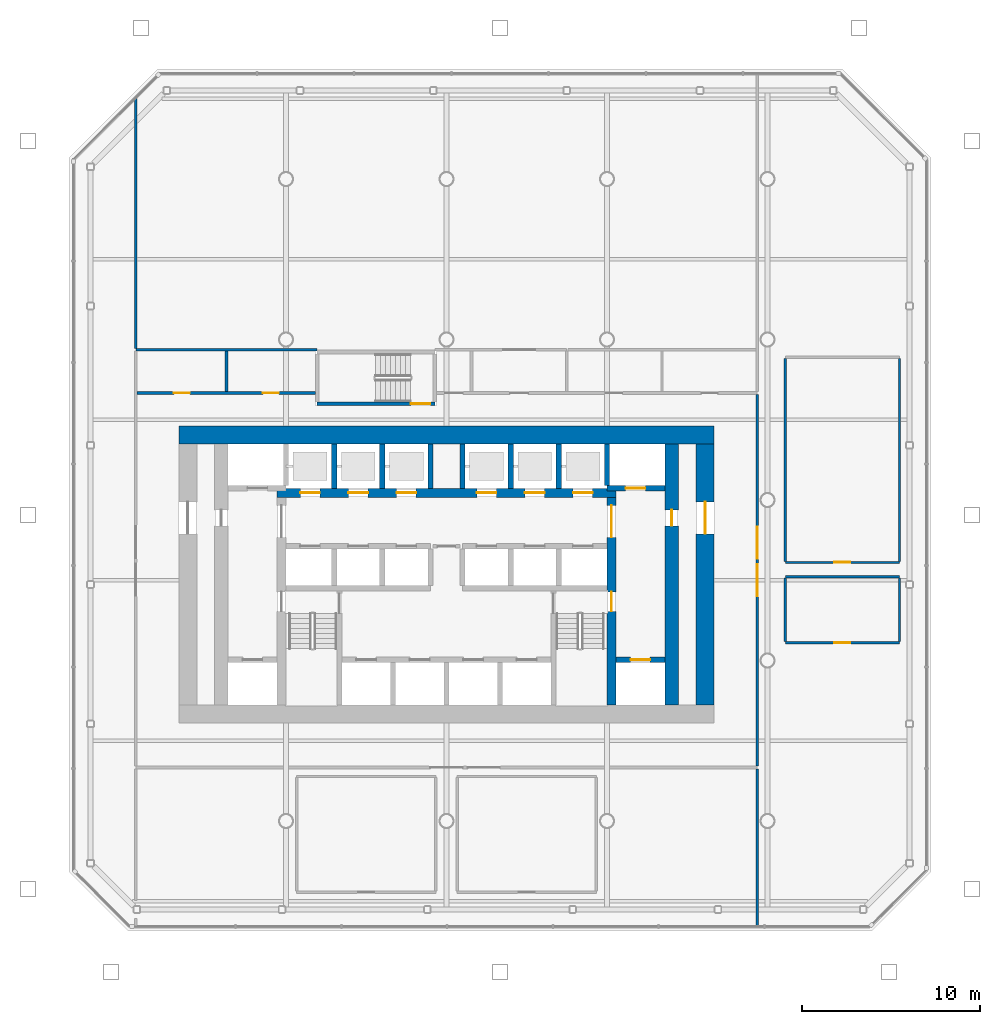
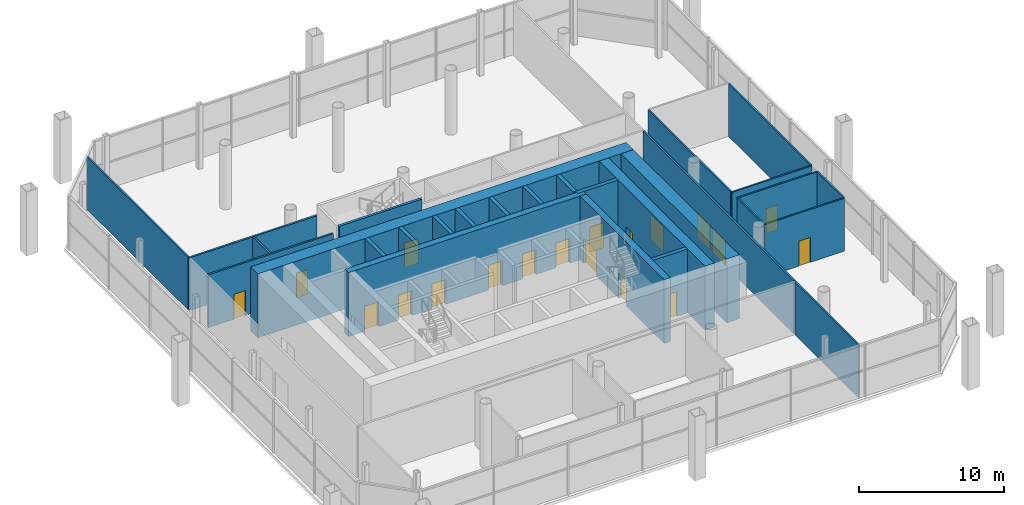
# One storey, part 10 of 13: 28 walls, 19 doors, 19 openings.
"""IFC4 building model written with IfcOpenShell, lengths in metres."""

from ifc_helpers import new_model, si_unit, direction, frame, frame_2d, origin, place, context, subcontext, project, spatial, rectangle, extrude, material, layer, layer_set, type_object, element, fill, save


model = new_model("IFC4")

# Units and contexts
model_context = context("Model", 3, precision=1e-05, world=origin(), true_north=direction((0.0, 1.0)))
body_context = subcontext(model_context, "Body", "Model", "MODEL_VIEW")
ifc_project = project(units=[si_unit("LENGTHUNIT", "METRE"), si_unit("AREAUNIT", "SQUARE_METRE"), si_unit("VOLUMEUNIT", "CUBIC_METRE"), si_unit("PLANEANGLEUNIT", "RADIAN"), si_unit("MASSUNIT", "GRAM", prefix="KILO")], contexts=[model_context])

# Site, building, storey
site_placement = place(None, origin())
site = spatial("IfcSite", under=ifc_project, at=site_placement, CompositionType="ELEMENT")
building_placement = place(site_placement, origin())
building = spatial("IfcBuilding", under=site, at=building_placement, Name="Tskaro Facet Tower", CompositionType="ELEMENT")
storey_placement = place(building_placement, frame((0.0, 0.0, 108.89990234375)))
storey = spatial("IfcBuildingStorey", under=building, at=storey_placement, Name="L26", CompositionType="ELEMENT", Elevation=108.89990234375)

# Wall, opening, door
ifc_material_1 = material(Name="Concrete C60/75", Category="concrete")
ifc_layer_1 = layer(ifc_material_1, 0.300048828125, Name="Concrete C60/75")
ifc_layer_set_1 = layer_set([ifc_layer_1], Name="Concrete C60/75")
wall_type_1 = type_object("IfcWallType", Name="CORE-SHAFT", PredefinedType="SHEAR", material=ifc_layer_set_1)
wall_1_placement = place(storey_placement, frame((9.5, -8.949951171875, 0.0), z_axis=(0.0, 0.0, 1.0), x_axis=(1.0, 0.0, 0.0)))
wall_1 = element("IfcWall", 1, at=wall_1_placement, inside=storey, type_object=wall_type_1, Name="Shaft wall W008", PredefinedType="SHEAR", context=body_context, shape_type="SweptSolid", body=[
    extrude(rectangle(XDim=2.75, YDim=0.300048828125, at=frame_2d((1.375, 0.0))), origin(), (0.0, 0.0, 1.0), 5.400146484375),
])
opening_1_placement = place(wall_1_placement, frame((0.824951171875, 0.0, 0.0)))
opening_1 = element("IfcOpeningElement", 2, at=opening_1_placement, cuts=wall_1, Name="Opening LD-SHES", PredefinedType="OPENING", context=body_context, shape_type="SweptSolid", body=[
    extrude(rectangle(XDim=1.10009765625, YDim=2.10009765625, at=frame_2d((0.550048828125, 1.050048828125))), frame((0.0, 0.159912109375, 0.0), z_axis=(0.0, -1.0, 0.0), x_axis=(1.0, 0.0, 0.0)), (0.0, 0.0, 1.0), 0.320068359375),
])
ifc_material_2 = material(Name="Stainless steel", Category="steel")
door_type_1 = type_object("IfcDoorType", Name="D-LANDING", OperationType="NOTDEFINED", PredefinedType="DOOR", material=ifc_material_2)
door_1_placement = place(opening_1_placement, origin())
door_1 = element("IfcDoor", 3, at=door_1_placement, inside=storey, type_object=door_type_1, Name="Landing door shuttle E1", OperationType="DOUBLE_DOOR_SLIDING", OverallHeight=2.10009765625, OverallWidth=1.10009765625, PredefinedType="DOOR", context=body_context, shape_type="SweptSolid", body=[
    extrude(rectangle(XDim=1.10009765625, YDim=2.10009765625, at=frame_2d((0.550048828125, 1.050048828125))), frame((0.0, 0.02490234375, 0.0), z_axis=(0.0, -1.0, 0.0), x_axis=(1.0, 0.0, 0.0)), (0.0, 0.0, 1.0), 0.050048828125),
])
fill(opening_1, door_1)

wall_2_placement = place(storey_placement, frame((12.25, 0.64990234375, 0.0), z_axis=(0.0, 0.0, 1.0), x_axis=(-1.0, 0.0, 0.0)))
wall_2 = element("IfcWall", 4, at=wall_2_placement, inside=storey, type_object=wall_type_1, Name="Shaft wall W018", PredefinedType="SHEAR", context=body_context, shape_type="SweptSolid", body=[
    extrude(rectangle(XDim=3.25, YDim=0.300048828125, at=frame_2d((1.625, 0.0))), origin(), (0.0, 0.0, 1.0), 5.400146484375),
])
opening_2_placement = place(wall_2_placement, frame((1.10009765625, 0.0, 0.0)))
opening_2 = element("IfcOpeningElement", 5, at=opening_2_placement, cuts=wall_2, Name="Opening LD-SHEN", PredefinedType="OPENING", context=body_context, shape_type="SweptSolid", body=[
    extrude(rectangle(XDim=1.10009765625, YDim=2.10009765625, at=frame_2d((0.550048828125, 1.050048828125))), frame((0.0, 0.159912109375, 0.0), z_axis=(0.0, -1.0, 0.0), x_axis=(1.0, 0.0, 0.0)), (0.0, 0.0, 1.0), 0.320068359375),
])
door_2_placement = place(opening_2_placement, origin())
door_2 = element("IfcDoor", 6, at=door_2_placement, inside=storey, type_object=door_type_1, Name="Landing door shuttle E2", OperationType="DOUBLE_DOOR_SLIDING", OverallHeight=2.10009765625, OverallWidth=1.10009765625, PredefinedType="DOOR", context=body_context, shape_type="SweptSolid", body=[
    extrude(rectangle(XDim=1.10009765625, YDim=2.10009765625, at=frame_2d((0.550048828125, 1.050048828125))), frame((0.0, 0.02490234375, 0.0), z_axis=(0.0, -1.0, 0.0), x_axis=(1.0, 0.0, 0.0)), (0.0, 0.0, 1.0), 0.050048828125),
])
fill(opening_2, door_2)

# Walls
for number, where, z_axis, x_axis, name in (
    (7, (-6.300048828125, 0.64990234375, 0.0), (0.0, 0.0, 1.0), (0.0, 1.0, 0.0), "Shaft wall W036"),
    (8, (-3.60009765625, 0.64990234375, 0.0), (0.0, 0.0, 1.0), (0.0, 1.0, 0.0), "Shaft wall W039"),
    (9, (-0.89990234375, 0.64990234375, 0.0), (0.0, 0.0, 1.0), (0.0, 1.0, 0.0), "Shaft wall W042"),
    (10, (0.89990234375, 0.64990234375, 0.0), (0.0, 0.0, 1.0), (0.0, 1.0, 0.0), "Shaft wall W048"),
    (11, (3.60009765625, 0.64990234375, 0.0), (0.0, 0.0, 1.0), (0.0, 1.0, 0.0), "Shaft wall W052"),
    (12, (6.300048828125, 0.64990234375, 0.0), (0.0, 0.0, 1.0), (0.0, 1.0, 0.0), "Shaft wall W055"),
):
    element("IfcWall", number, at=place(storey_placement, frame(where, z_axis=z_axis, x_axis=x_axis)), inside=storey, type_object=wall_type_1, Name=name, PredefinedType="SHEAR", context=body_context, shape_type="SweptSolid", body=[
        extrude(rectangle(XDim=2.5, YDim=0.300048828125, at=frame_2d((1.25, 0.0))), origin(), (0.0, 0.0, 1.0), 5.400146484375),
    ])
wall_3_placement = place(storey_placement, frame((9.0, 0.800048828125, 0.0), z_axis=(0.0, 0.0, 1.0), x_axis=(0.0, 1.0, 0.0)))
element("IfcWall", 13, at=wall_3_placement, inside=storey, type_object=wall_type_1, Name="Shaft wall W058", PredefinedType="SHEAR", context=body_context, shape_type="SweptSolid", body=[
    extrude(rectangle(XDim=2.349853515625, YDim=0.300048828125, at=frame_2d((1.1748046875, 0.0))), origin(), (0.0, 0.0, 1.0), 5.400146484375),
])
ifc_layer_2 = layer(ifc_material_1, 1.0, Name="Concrete C60/75")
ifc_layer_set_2 = layer_set([ifc_layer_2], Name="Concrete C60/75")
wall_type_2 = type_object("IfcWallType", Name="Core wall 1000", PredefinedType="SHEAR", material=ifc_layer_set_2)
wall_4_placement = place(storey_placement, frame((-15.0, 3.64990234375, 0.0), z_axis=(0.0, 0.0, 1.0), x_axis=(1.0, 0.0, 0.0)))
element("IfcWall", 14, at=wall_4_placement, inside=storey, type_object=wall_type_2, Name="Core wall CW-Z1N", PredefinedType="SHEAR", context=body_context, shape_type="SweptSolid", body=[
    extrude(rectangle(XDim=30.0, YDim=1.0, at=frame_2d((15.0, 0.0))), origin(), (0.0, 0.0, 1.0), 5.400146484375),
])

# Wall, opening, door
wall_5_placement = place(storey_placement, frame((14.5, -11.5, 0.0), z_axis=(0.0, 0.0, 1.0), x_axis=(0.0, 1.0, 0.0)))
wall_5 = element("IfcWall", 15, at=wall_5_placement, inside=storey, type_object=wall_type_2, Name="Core wall CW-Z1E", PredefinedType="SHEAR", context=body_context, shape_type="SweptSolid", body=[
    extrude(rectangle(XDim=14.64990234375, YDim=1.0, at=frame_2d((7.324951171875, 0.0))), origin(), (0.0, 0.0, 1.0), 5.400146484375),
])
opening_3_placement = place(wall_5_placement, frame((9.60009765625, 0.0, 0.0)))
opening_3 = element("IfcOpeningElement", 16, at=opening_3_placement, cuts=wall_5, Name="Opening S26-D16", PredefinedType="OPENING", context=body_context, shape_type="SweptSolid", body=[
    extrude(rectangle(XDim=1.800048828125, YDim=2.10009765625, at=frame_2d((0.89990234375, 1.050048828125))), frame((0.0, 0.510009765625, 0.0), z_axis=(0.0, -1.0, 0.0), x_axis=(1.0, 0.0, 0.0)), (0.0, 0.0, 1.0), 1.02001953125),
])
ifc_material_3 = material(Name="Steel", Category="steel")
door_type_2 = type_object("IfcDoorType", Name="D-CORE-PAIR", OperationType="NOTDEFINED", PredefinedType="DOOR", material=ifc_material_3)
door_3_placement = place(opening_3_placement, origin())
door_3 = element("IfcDoor", 17, at=door_3_placement, inside=storey, type_object=door_type_2, Name="Door S26-D16", OperationType="DOUBLE_DOOR_SINGLE_SWING", OverallHeight=2.10009765625, OverallWidth=1.800048828125, PredefinedType="DOOR", context=body_context, shape_type="SweptSolid", body=[
    extrude(rectangle(XDim=1.800048828125, YDim=2.10009765625, at=frame_2d((0.89990234375, 1.050048828125))), frame((0.0, 0.02490234375, 0.0), z_axis=(0.0, -1.0, 0.0), x_axis=(1.0, 0.0, 0.0)), (0.0, 0.0, 1.0), 0.050048828125),
])
fill(opening_3, door_3)

# Wall, openings, doors
ifc_material_4 = material(Name="Concrete C40/50", Category="concrete")
ifc_layer_3 = layer(ifc_material_4, 0.5, Name="Concrete C40/50")
ifc_layer_set_3 = layer_set([ifc_layer_3], Name="Concrete C40/50")
wall_type_3 = type_object("IfcWallType", Name="Core wall 500", PredefinedType="SHEAR", material=ifc_layer_set_3)
wall_6_placement = place(storey_placement, frame((-9.5, 0.39990234375, 0.0), z_axis=(0.0, 0.0, 1.0), x_axis=(1.0, 0.0, 0.0)))
wall_6 = element("IfcWall", 18, at=wall_6_placement, inside=storey, type_object=wall_type_3, Name="Core wall CW-Z3N", PredefinedType="SHEAR", context=body_context, shape_type="SweptSolid", body=[
    extrude(rectangle(XDim=19.0, YDim=0.5, at=frame_2d((9.5, 0.0))), origin(), (0.0, 0.0, 1.0), 5.400146484375),
])
opening_4_placement = place(wall_6_placement, frame((1.300048828125, 0.0, 0.0)))
opening_4 = element("IfcOpeningElement", 19, at=opening_4_placement, cuts=wall_6, Name="Opening LD-MB1", PredefinedType="OPENING", context=body_context, shape_type="SweptSolid", body=[
    extrude(rectangle(XDim=1.10009765625, YDim=2.10009765625, at=frame_2d((0.550048828125, 1.050048828125))), frame((0.0, 0.260009765625, 0.0), z_axis=(0.0, -1.0, 0.0), x_axis=(1.0, 0.0, 0.0)), (0.0, 0.0, 1.0), 0.52001953125),
])
opening_5_placement = place(wall_6_placement, frame((4.0, 0.0, 0.0)))
opening_5 = element("IfcOpeningElement", 20, at=opening_5_placement, cuts=wall_6, Name="Opening LD-MB2", PredefinedType="OPENING", context=body_context, shape_type="SweptSolid", body=[
    extrude(rectangle(XDim=1.10009765625, YDim=2.10009765625, at=frame_2d((0.550048828125, 1.050048828125))), frame((0.0, 0.260009765625, 0.0), z_axis=(0.0, -1.0, 0.0), x_axis=(1.0, 0.0, 0.0)), (0.0, 0.0, 1.0), 0.52001953125),
])
opening_6_placement = place(wall_6_placement, frame((6.699951171875, 0.0, 0.0)))
opening_6 = element("IfcOpeningElement", 21, at=opening_6_placement, cuts=wall_6, Name="Opening LD-MB3", PredefinedType="OPENING", context=body_context, shape_type="SweptSolid", body=[
    extrude(rectangle(XDim=1.10009765625, YDim=2.10009765625, at=frame_2d((0.550048828125, 1.050048828125))), frame((0.0, 0.260009765625, 0.0), z_axis=(0.0, -1.0, 0.0), x_axis=(1.0, 0.0, 0.0)), (0.0, 0.0, 1.0), 0.52001953125),
])
opening_7_placement = place(wall_6_placement, frame((11.199951171875, 0.0, 0.0)))
opening_7 = element("IfcOpeningElement", 22, at=opening_7_placement, cuts=wall_6, Name="Opening LD-MB4", PredefinedType="OPENING", context=body_context, shape_type="SweptSolid", body=[
    extrude(rectangle(XDim=1.10009765625, YDim=2.10009765625, at=frame_2d((0.550048828125, 1.050048828125))), frame((0.0, 0.260009765625, 0.0), z_axis=(0.0, -1.0, 0.0), x_axis=(1.0, 0.0, 0.0)), (0.0, 0.0, 1.0), 0.52001953125),
])
opening_8_placement = place(wall_6_placement, frame((13.89990234375, 0.0, 0.0)))
opening_8 = element("IfcOpeningElement", 23, at=opening_8_placement, cuts=wall_6, Name="Opening LD-MB5", PredefinedType="OPENING", context=body_context, shape_type="SweptSolid", body=[
    extrude(rectangle(XDim=1.10009765625, YDim=2.10009765625, at=frame_2d((0.550048828125, 1.050048828125))), frame((0.0, 0.260009765625, 0.0), z_axis=(0.0, -1.0, 0.0), x_axis=(1.0, 0.0, 0.0)), (0.0, 0.0, 1.0), 0.52001953125),
])
opening_9_placement = place(wall_6_placement, frame((16.60009765625, 0.0, 0.0)))
opening_9 = element("IfcOpeningElement", 24, at=opening_9_placement, cuts=wall_6, Name="Opening LD-MB6", PredefinedType="OPENING", context=body_context, shape_type="SweptSolid", body=[
    extrude(rectangle(XDim=1.10009765625, YDim=2.10009765625, at=frame_2d((0.550048828125, 1.050048828125))), frame((0.0, 0.260009765625, 0.0), z_axis=(0.0, -1.0, 0.0), x_axis=(1.0, 0.0, 0.0)), (0.0, 0.0, 1.0), 0.52001953125),
])
door_4_placement = place(opening_4_placement, origin())
door_4 = element("IfcDoor", 25, at=door_4_placement, inside=storey, type_object=door_type_1, Name="Landing door MB1", OperationType="DOUBLE_DOOR_SLIDING", OverallHeight=2.10009765625, OverallWidth=1.10009765625, PredefinedType="DOOR", context=body_context, shape_type="SweptSolid", body=[
    extrude(rectangle(XDim=1.10009765625, YDim=2.10009765625, at=frame_2d((0.550048828125, 1.050048828125))), frame((0.0, 0.02490234375, 0.0), z_axis=(0.0, -1.0, 0.0), x_axis=(1.0, 0.0, 0.0)), (0.0, 0.0, 1.0), 0.050048828125),
])
fill(opening_4, door_4)
door_5_placement = place(opening_5_placement, origin())
door_5 = element("IfcDoor", 26, at=door_5_placement, inside=storey, type_object=door_type_1, Name="Landing door MB2", OperationType="DOUBLE_DOOR_SLIDING", OverallHeight=2.10009765625, OverallWidth=1.10009765625, PredefinedType="DOOR", context=body_context, shape_type="SweptSolid", body=[
    extrude(rectangle(XDim=1.10009765625, YDim=2.10009765625, at=frame_2d((0.550048828125, 1.050048828125))), frame((0.0, 0.02490234375, 0.0), z_axis=(0.0, -1.0, 0.0), x_axis=(1.0, 0.0, 0.0)), (0.0, 0.0, 1.0), 0.050048828125),
])
fill(opening_5, door_5)
door_6_placement = place(opening_6_placement, origin())
door_6 = element("IfcDoor", 27, at=door_6_placement, inside=storey, type_object=door_type_1, Name="Landing door MB3", OperationType="DOUBLE_DOOR_SLIDING", OverallHeight=2.10009765625, OverallWidth=1.10009765625, PredefinedType="DOOR", context=body_context, shape_type="SweptSolid", body=[
    extrude(rectangle(XDim=1.10009765625, YDim=2.10009765625, at=frame_2d((0.550048828125, 1.050048828125))), frame((0.0, 0.02490234375, 0.0), z_axis=(0.0, -1.0, 0.0), x_axis=(1.0, 0.0, 0.0)), (0.0, 0.0, 1.0), 0.050048828125),
])
fill(opening_6, door_6)
door_7_placement = place(opening_7_placement, origin())
door_7 = element("IfcDoor", 28, at=door_7_placement, inside=storey, type_object=door_type_1, Name="Landing door MB4", OperationType="DOUBLE_DOOR_SLIDING", OverallHeight=2.10009765625, OverallWidth=1.10009765625, PredefinedType="DOOR", context=body_context, shape_type="SweptSolid", body=[
    extrude(rectangle(XDim=1.10009765625, YDim=2.10009765625, at=frame_2d((0.550048828125, 1.050048828125))), frame((0.0, 0.02490234375, 0.0), z_axis=(0.0, -1.0, 0.0), x_axis=(1.0, 0.0, 0.0)), (0.0, 0.0, 1.0), 0.050048828125),
])
fill(opening_7, door_7)
door_8_placement = place(opening_8_placement, origin())
door_8 = element("IfcDoor", 29, at=door_8_placement, inside=storey, type_object=door_type_1, Name="Landing door MB5", OperationType="DOUBLE_DOOR_SLIDING", OverallHeight=2.10009765625, OverallWidth=1.10009765625, PredefinedType="DOOR", context=body_context, shape_type="SweptSolid", body=[
    extrude(rectangle(XDim=1.10009765625, YDim=2.10009765625, at=frame_2d((0.550048828125, 1.050048828125))), frame((0.0, 0.02490234375, 0.0), z_axis=(0.0, -1.0, 0.0), x_axis=(1.0, 0.0, 0.0)), (0.0, 0.0, 1.0), 0.050048828125),
])
fill(opening_8, door_8)
door_9_placement = place(opening_9_placement, origin())
door_9 = element("IfcDoor", 30, at=door_9_placement, inside=storey, type_object=door_type_1, Name="Landing door MB6", OperationType="DOUBLE_DOOR_SLIDING", OverallHeight=2.10009765625, OverallWidth=1.10009765625, PredefinedType="DOOR", context=body_context, shape_type="SweptSolid", body=[
    extrude(rectangle(XDim=1.10009765625, YDim=2.10009765625, at=frame_2d((0.550048828125, 1.050048828125))), frame((0.0, 0.02490234375, 0.0), z_axis=(0.0, -1.0, 0.0), x_axis=(1.0, 0.0, 0.0)), (0.0, 0.0, 1.0), 0.050048828125),
])
fill(opening_9, door_9)

wall_7_placement = place(storey_placement, frame((9.25, -11.5, 0.0), z_axis=(0.0, 0.0, 1.0), x_axis=(0.0, 1.0, 0.0)))
wall_7 = element("IfcWall", 31, at=wall_7_placement, inside=storey, type_object=wall_type_3, Name="Core wall CW-Z3E", PredefinedType="SHEAR", context=body_context, shape_type="SweptSolid", body=[
    extrude(rectangle(XDim=11.64990234375, YDim=0.5, at=frame_2d((5.824951171875, 0.0))), origin(), (0.0, 0.0, 1.0), 5.400146484375),
])
opening_10_placement = place(wall_7_placement, frame((9.39990234375, 0.0, 0.0)))
opening_10 = element("IfcOpeningElement", 32, at=opening_10_placement, cuts=wall_7, Name="Opening S26-D12", PredefinedType="OPENING", context=body_context, shape_type="SweptSolid", body=[
    extrude(rectangle(XDim=1.800048828125, YDim=2.10009765625, at=frame_2d((0.89990234375, 1.050048828125))), frame((0.0, 0.260009765625, 0.0), z_axis=(0.0, -1.0, 0.0), x_axis=(1.0, 0.0, 0.0)), (0.0, 0.0, 1.0), 0.52001953125),
])
opening_11_placement = place(wall_7_placement, frame((5.25, 0.0, 0.0)))
opening_11 = element("IfcOpeningElement", 33, at=opening_11_placement, cuts=wall_7, Name="Opening ST-2-D2", PredefinedType="OPENING", context=body_context, shape_type="SweptSolid", body=[
    extrude(rectangle(XDim=1.10009765625, YDim=2.10009765625, at=frame_2d((0.550048828125, 1.050048828125))), frame((0.0, 0.260009765625, 0.0), z_axis=(0.0, -1.0, 0.0), x_axis=(1.0, 0.0, 0.0)), (0.0, 0.0, 1.0), 0.52001953125),
])
door_10_placement = place(opening_10_placement, origin())
door_10 = element("IfcDoor", 34, at=door_10_placement, inside=storey, type_object=door_type_2, Name="Door S26-D12", OperationType="DOUBLE_DOOR_SINGLE_SWING", OverallHeight=2.10009765625, OverallWidth=1.800048828125, PredefinedType="DOOR", context=body_context, shape_type="SweptSolid", body=[
    extrude(rectangle(XDim=1.800048828125, YDim=2.10009765625, at=frame_2d((0.89990234375, 1.050048828125))), frame((0.0, 0.02490234375, 0.0), z_axis=(0.0, -1.0, 0.0), x_axis=(1.0, 0.0, 0.0)), (0.0, 0.0, 1.0), 0.050048828125),
])
fill(opening_10, door_10)
door_type_3 = type_object("IfcDoorType", Name="D-STAIR", OperationType="NOTDEFINED", PredefinedType="DOOR", material=ifc_material_3)
door_11_placement = place(opening_11_placement, origin())
door_11 = element("IfcDoor", 35, at=door_11_placement, inside=storey, type_object=door_type_3, Name="Stair door 2 east", OperationType="SINGLE_SWING_LEFT", OverallHeight=2.10009765625, OverallWidth=1.10009765625, PredefinedType="DOOR", context=body_context, shape_type="SweptSolid", body=[
    extrude(rectangle(XDim=1.10009765625, YDim=2.10009765625, at=frame_2d((0.550048828125, 1.050048828125))), frame((0.0, 0.02490234375, 0.0), z_axis=(0.0, -1.0, 0.0), x_axis=(1.0, 0.0, 0.0)), (0.0, 0.0, 1.0), 0.050048828125),
])
fill(opening_11, door_11)

# Wall, opening, door
ifc_material_5 = material(Name="Concrete C50/60", Category="concrete")
ifc_layer_4 = layer(ifc_material_5, 0.75, Name="Concrete C50/60")
ifc_layer_set_4 = layer_set([ifc_layer_4], Name="Concrete C50/60")
wall_type_4 = type_object("IfcWallType", Name="Core wall 750", PredefinedType="SHEAR", material=ifc_layer_set_4)
wall_8_placement = place(storey_placement, frame((12.625, -11.5, 0.0), z_axis=(0.0, 0.0, 1.0), x_axis=(0.0, 1.0, 0.0)))
wall_8 = element("IfcWall", 36, at=wall_8_placement, inside=storey, type_object=wall_type_4, Name="Core wall CW-Z2E", PredefinedType="SHEAR", context=body_context, shape_type="SweptSolid", body=[
    extrude(rectangle(XDim=14.64990234375, YDim=0.75, at=frame_2d((7.324951171875, 0.0))), origin(), (0.0, 0.0, 1.0), 5.400146484375),
])
opening_12_placement = place(wall_8_placement, frame((10.050048828125, 0.0, 0.0)))
opening_12 = element("IfcOpeningElement", 37, at=opening_12_placement, cuts=wall_8, Name="Opening S26-D15", PredefinedType="OPENING", context=body_context, shape_type="SweptSolid", body=[
    extrude(rectangle(XDim=0.89990234375, YDim=2.10009765625, at=frame_2d((0.449951171875, 1.050048828125))), frame((0.0, 0.385009765625, 0.0), z_axis=(0.0, -1.0, 0.0), x_axis=(1.0, 0.0, 0.0)), (0.0, 0.0, 1.0), 0.77001953125),
])
ifc_material_6 = material(Name="Timber", Category="wood")
door_type_4 = type_object("IfcDoorType", Name="D-ROOM", OperationType="NOTDEFINED", PredefinedType="DOOR", material=ifc_material_6)
door_12_placement = place(opening_12_placement, origin())
door_12 = element("IfcDoor", 38, at=door_12_placement, inside=storey, type_object=door_type_4, Name="Door S26-D15", OperationType="SINGLE_SWING_LEFT", OverallHeight=2.10009765625, OverallWidth=0.89990234375, PredefinedType="DOOR", context=body_context, shape_type="SweptSolid", body=[
    extrude(rectangle(XDim=0.89990234375, YDim=2.10009765625, at=frame_2d((0.449951171875, 1.050048828125))), frame((0.0, 0.02490234375, 0.0), z_axis=(0.0, -1.0, 0.0), x_axis=(1.0, 0.0, 0.0)), (0.0, 0.0, 1.0), 0.050048828125),
])
fill(opening_12, door_12)

ifc_material_7 = material(Name="Gypsum board on steel studs", Category="steel")
ifc_layer_5 = layer(ifc_material_7, 0.125, Name="Gypsum board on steel studs")
ifc_layer_set_5 = layer_set([ifc_layer_5], Name="Gypsum board on steel studs")
wall_type_5 = type_object("IfcWallType", Name="PART", PredefinedType="PARTITIONING", material=ifc_layer_set_5)
wall_9_placement = place(storey_placement, frame((19.0, -8.0, 0.0), z_axis=(0.0, 0.0, 1.0), x_axis=(1.0, 0.0, 0.0)))
wall_9 = element("IfcWall", 39, at=wall_9_placement, inside=storey, type_object=wall_type_5, Name="Partition W009", PredefinedType="PARTITIONING", context=body_context, shape_type="SweptSolid", body=[
    extrude(rectangle(XDim=6.39990234375, YDim=0.125, at=frame_2d((3.199951171875, 0.0))), origin(), (0.0, 0.0, 1.0), 4.460205078125),
])
opening_13_placement = place(wall_9_placement, frame((2.75, 0.0, 0.0)))
opening_13 = element("IfcOpeningElement", 40, at=opening_13_placement, cuts=wall_9, Name="Opening S26-D05", PredefinedType="OPENING", context=body_context, shape_type="SweptSolid", body=[
    extrude(rectangle(XDim=0.89990234375, YDim=2.10009765625, at=frame_2d((0.449951171875, 1.050048828125))), frame((0.0, 0.072509765625, 0.0), z_axis=(0.0, -1.0, 0.0), x_axis=(1.0, 0.0, 0.0)), (0.0, 0.0, 1.0), 0.14501953125),
])
door_13_placement = place(opening_13_placement, origin())
door_13 = element("IfcDoor", 41, at=door_13_placement, inside=storey, type_object=door_type_4, Name="Door S26-D05", OperationType="SINGLE_SWING_LEFT", OverallHeight=2.10009765625, OverallWidth=0.89990234375, PredefinedType="DOOR", context=body_context, shape_type="SweptSolid", body=[
    extrude(rectangle(XDim=0.89990234375, YDim=2.10009765625, at=frame_2d((0.449951171875, 1.050048828125))), frame((0.0, 0.02490234375, 0.0), z_axis=(0.0, -1.0, 0.0), x_axis=(1.0, 0.0, 0.0)), (0.0, 0.0, 1.0), 0.050048828125),
])
fill(opening_13, door_13)

# Wall
wall_10_placement = place(storey_placement, frame((19.0, -4.300048828125, 0.0), z_axis=(0.0, 0.0, 1.0), x_axis=(1.0, 0.0, 0.0)))
element("IfcWall", 42, at=wall_10_placement, inside=storey, type_object=wall_type_5, Name="Partition W012", PredefinedType="PARTITIONING", context=body_context, shape_type="SweptSolid", body=[
    extrude(rectangle(XDim=6.39990234375, YDim=0.125, at=frame_2d((3.199951171875, 0.0))), origin(), (0.0, 0.0, 1.0), 4.460205078125),
])

# Wall, opening, door
wall_11_placement = place(storey_placement, frame((19.0, -3.5, 0.0), z_axis=(0.0, 0.0, 1.0), x_axis=(1.0, 0.0, 0.0)))
wall_11 = element("IfcWall", 43, at=wall_11_placement, inside=storey, type_object=wall_type_5, Name="Partition W013", PredefinedType="PARTITIONING", context=body_context, shape_type="SweptSolid", body=[
    extrude(rectangle(XDim=6.39990234375, YDim=0.125, at=frame_2d((3.199951171875, 0.0))), origin(), (0.0, 0.0, 1.0), 4.460205078125),
])
opening_14_placement = place(wall_11_placement, frame((2.75, 0.0, 0.0)))
opening_14 = element("IfcOpeningElement", 44, at=opening_14_placement, cuts=wall_11, Name="Opening S26-D08", PredefinedType="OPENING", context=body_context, shape_type="SweptSolid", body=[
    extrude(rectangle(XDim=0.89990234375, YDim=2.10009765625, at=frame_2d((0.449951171875, 1.050048828125))), frame((0.0, 0.072509765625, 0.0), z_axis=(0.0, -1.0, 0.0), x_axis=(1.0, 0.0, 0.0)), (0.0, 0.0, 1.0), 0.14501953125),
])
door_14_placement = place(opening_14_placement, origin())
door_14 = element("IfcDoor", 45, at=door_14_placement, inside=storey, type_object=door_type_4, Name="Door S26-D08", OperationType="SINGLE_SWING_LEFT", OverallHeight=2.10009765625, OverallWidth=0.89990234375, PredefinedType="DOOR", context=body_context, shape_type="SweptSolid", body=[
    extrude(rectangle(XDim=0.89990234375, YDim=2.10009765625, at=frame_2d((0.449951171875, 1.050048828125))), frame((0.0, 0.02490234375, 0.0), z_axis=(0.0, -1.0, 0.0), x_axis=(1.0, 0.0, 0.0)), (0.0, 0.0, 1.0), 0.050048828125),
])
fill(opening_14, door_14)

# Walls
wall_12_placement = place(storey_placement, frame((-17.425048828125, 8.5, 0.0), z_axis=(0.0, 0.0, 1.0), x_axis=(0.0, 1.0, 0.0)))
element("IfcWall", 46, at=wall_12_placement, inside=storey, type_object=wall_type_5, Name="Partition W030", PredefinedType="PARTITIONING", context=body_context, shape_type="SweptSolid", body=[
    extrude(rectangle(XDim=14.0029296875, YDim=0.125, at=frame_2d((7.00146484375, 0.0))), origin(), (0.0, 0.0, 1.0), 4.460205078125),
])
wall_13_placement = place(storey_placement, frame((17.425048828125, -23.864990234375, 0.0), z_axis=(0.0, 0.0, 1.0), x_axis=(0.0, 1.0, 0.0)))
element("IfcWall", 47, at=wall_13_placement, inside=storey, type_object=wall_type_5, Name="Partition W060", PredefinedType="PARTITIONING", context=body_context, shape_type="SweptSolid", body=[
    extrude(rectangle(XDim=8.7900390625, YDim=0.125, at=frame_2d((4.39501953125, 0.0))), origin(), (0.0, 0.0, 1.0), 4.460205078125),
])
wall_14_placement = place(storey_placement, frame((19.0, -7.9375, 0.0), z_axis=(0.0, 0.0, 1.0), x_axis=(0.0, 1.0, 0.0)))
element("IfcWall", 48, at=wall_14_placement, inside=storey, type_object=wall_type_5, Name="Partition W063", PredefinedType="PARTITIONING", context=body_context, shape_type="SweptSolid", body=[
    extrude(rectangle(XDim=3.574951171875, YDim=0.125, at=frame_2d((1.78759765625, 0.0))), origin(), (0.0, 0.0, 1.0), 4.460205078125),
])
wall_15_placement = place(storey_placement, frame((19.0, -3.4375, 0.0), z_axis=(0.0, 0.0, 1.0), x_axis=(0.0, 1.0, 0.0)))
element("IfcWall", 49, at=wall_15_placement, inside=storey, type_object=wall_type_5, Name="Partition W064", PredefinedType="PARTITIONING", context=body_context, shape_type="SweptSolid", body=[
    extrude(rectangle(XDim=11.375, YDim=0.125, at=frame_2d((5.6875, 0.0))), origin(), (0.0, 0.0, 1.0), 4.460205078125),
])
wall_16_placement = place(storey_placement, frame((25.39990234375, -7.9375, 0.0), z_axis=(0.0, 0.0, 1.0), x_axis=(0.0, 1.0, 0.0)))
element("IfcWall", 50, at=wall_16_placement, inside=storey, type_object=wall_type_5, Name="Partition W065", PredefinedType="PARTITIONING", context=body_context, shape_type="SweptSolid", body=[
    extrude(rectangle(XDim=3.574951171875, YDim=0.125, at=frame_2d((1.78759765625, 0.0))), origin(), (0.0, 0.0, 1.0), 4.460205078125),
])
wall_17_placement = place(storey_placement, frame((25.39990234375, -3.4375, 0.0), z_axis=(0.0, 0.0, 1.0), x_axis=(0.0, 1.0, 0.0)))
element("IfcWall", 51, at=wall_17_placement, inside=storey, type_object=wall_type_5, Name="Partition W066", PredefinedType="PARTITIONING", context=body_context, shape_type="SweptSolid", body=[
    extrude(rectangle(XDim=11.375, YDim=0.125, at=frame_2d((5.6875, 0.0))), origin(), (0.0, 0.0, 1.0), 4.460205078125),
])

# Wall, openings, doors
ifc_layer_6 = layer(ifc_material_7, 0.14990234375, Name="Gypsum board on steel studs")
ifc_layer_set_6 = layer_set([ifc_layer_6], Name="Gypsum board on steel studs")
wall_type_6 = type_object("IfcWallType", Name="PART-CORR", PredefinedType="PARTITIONING", material=ifc_layer_set_6)
wall_18_placement = place(storey_placement, frame((-17.35009765625, 6.0, 0.0), z_axis=(0.0, 0.0, 1.0), x_axis=(1.0, 0.0, 0.0)))
wall_18 = element("IfcWall", 52, at=wall_18_placement, inside=storey, type_object=wall_type_6, Name="Corridor wall W020", PredefinedType="PARTITIONING", context=body_context, shape_type="SweptSolid", body=[
    extrude(rectangle(XDim=10.0, YDim=0.14990234375, at=frame_2d((5.0, 0.0))), origin(), (0.0, 0.0, 1.0), 4.460205078125),
])
opening_15_placement = place(wall_18_placement, frame((2.055908203125, 0.0, 0.0)))
opening_15 = element("IfcOpeningElement", 53, at=opening_15_placement, cuts=wall_18, Name="Opening S26-D17", PredefinedType="OPENING", context=body_context, shape_type="SweptSolid", body=[
    extrude(rectangle(XDim=0.89990234375, YDim=2.10009765625, at=frame_2d((0.449951171875, 1.050048828125))), frame((0.0, 0.0849609375, 0.0), z_axis=(0.0, -1.0, 0.0), x_axis=(1.0, 0.0, 0.0)), (0.0, 0.0, 1.0), 0.169921875),
])
opening_16_placement = place(wall_18_placement, frame((7.055908203125, 0.0, 0.0)))
opening_16 = element("IfcOpeningElement", 54, at=opening_16_placement, cuts=wall_18, Name="Opening S26-D18", PredefinedType="OPENING", context=body_context, shape_type="SweptSolid", body=[
    extrude(rectangle(XDim=0.89990234375, YDim=2.10009765625, at=frame_2d((0.449951171875, 1.050048828125))), frame((0.0, 0.0849609375, 0.0), z_axis=(0.0, -1.0, 0.0), x_axis=(1.0, 0.0, 0.0)), (0.0, 0.0, 1.0), 0.169921875),
])
door_15_placement = place(opening_15_placement, origin())
door_15 = element("IfcDoor", 55, at=door_15_placement, inside=storey, type_object=door_type_4, Name="Door S26-D17", OperationType="SINGLE_SWING_LEFT", OverallHeight=2.10009765625, OverallWidth=0.89990234375, PredefinedType="DOOR", context=body_context, shape_type="SweptSolid", body=[
    extrude(rectangle(XDim=0.89990234375, YDim=2.10009765625, at=frame_2d((0.449951171875, 1.050048828125))), frame((0.0, 0.02490234375, 0.0), z_axis=(0.0, -1.0, 0.0), x_axis=(1.0, 0.0, 0.0)), (0.0, 0.0, 1.0), 0.050048828125),
])
fill(opening_15, door_15)
door_16_placement = place(opening_16_placement, origin())
door_16 = element("IfcDoor", 56, at=door_16_placement, inside=storey, type_object=door_type_4, Name="Door S26-D18", OperationType="SINGLE_SWING_LEFT", OverallHeight=2.10009765625, OverallWidth=0.89990234375, PredefinedType="DOOR", context=body_context, shape_type="SweptSolid", body=[
    extrude(rectangle(XDim=0.89990234375, YDim=2.10009765625, at=frame_2d((0.449951171875, 1.050048828125))), frame((0.0, 0.02490234375, 0.0), z_axis=(0.0, -1.0, 0.0), x_axis=(1.0, 0.0, 0.0)), (0.0, 0.0, 1.0), 0.050048828125),
])
fill(opening_16, door_16)

# Walls
wall_19_placement = place(storey_placement, frame((-17.425048828125, 8.425048828125, 0.0), z_axis=(0.0, 0.0, 1.0), x_axis=(1.0, 0.0, 0.0)))
element("IfcWall", 57, at=wall_19_placement, inside=storey, type_object=wall_type_6, Name="Corridor wall W024", PredefinedType="PARTITIONING", context=body_context, shape_type="SweptSolid", body=[
    extrude(rectangle(XDim=10.175048828125, YDim=0.14990234375, at=frame_2d((5.08740234375, 0.0))), origin(), (0.0, 0.0, 1.0), 4.460205078125),
])
wall_20_placement = place(storey_placement, frame((-12.337890625, 6.074951171875, 0.0), z_axis=(0.0, 0.0, 1.0), x_axis=(0.0, 1.0, 0.0)))
element("IfcWall", 58, at=wall_20_placement, inside=storey, type_object=wall_type_6, Name="Corridor wall W031", PredefinedType="PARTITIONING", context=body_context, shape_type="SweptSolid", body=[
    extrude(rectangle(XDim=2.275146484375, YDim=0.14990234375, at=frame_2d((1.1376953125, 0.0))), origin(), (0.0, 0.0, 1.0), 4.460205078125),
])

# Wall, openings, doors
wall_21_placement = place(storey_placement, frame((17.425048828125, -14.925048828125, 0.0), z_axis=(0.0, 0.0, 1.0), x_axis=(0.0, 1.0, 0.0)))
wall_21 = element("IfcWall", 59, at=wall_21_placement, inside=storey, type_object=wall_type_6, Name="Corridor wall W061", PredefinedType="PARTITIONING", context=body_context, shape_type="SweptSolid", body=[
    extrude(rectangle(XDim=20.85009765625, YDim=0.14990234375, at=frame_2d((10.425048828125, 0.0))), origin(), (0.0, 0.0, 1.0), 4.460205078125),
])
opening_17_placement = place(wall_21_placement, frame((9.52490234375, 0.0, 0.0)))
opening_17 = element("IfcOpeningElement", 60, at=opening_17_placement, cuts=wall_21, Name="Opening S26-D06", PredefinedType="OPENING", context=body_context, shape_type="SweptSolid", body=[
    extrude(rectangle(XDim=1.800048828125, YDim=2.10009765625, at=frame_2d((0.89990234375, 1.050048828125))), frame((0.0, 0.0849609375, 0.0), z_axis=(0.0, -1.0, 0.0), x_axis=(1.0, 0.0, 0.0)), (0.0, 0.0, 1.0), 0.169921875),
])
opening_18_placement = place(wall_21_placement, frame((11.625, 0.0, 0.0)))
opening_18 = element("IfcOpeningElement", 61, at=opening_18_placement, cuts=wall_21, Name="Opening S26-D09", PredefinedType="OPENING", context=body_context, shape_type="SweptSolid", body=[
    extrude(rectangle(XDim=1.800048828125, YDim=2.10009765625, at=frame_2d((0.89990234375, 1.050048828125))), frame((0.0, 0.0849609375, 0.0), z_axis=(0.0, -1.0, 0.0), x_axis=(1.0, 0.0, 0.0)), (0.0, 0.0, 1.0), 0.169921875),
])
ifc_material_8 = material(Name="Glass", Category="glass")
door_type_5 = type_object("IfcDoorType", Name="D-ENTRY-PAIR", OperationType="NOTDEFINED", PredefinedType="DOOR", material=ifc_material_8)
door_17_placement = place(opening_17_placement, origin())
door_17 = element("IfcDoor", 62, at=door_17_placement, inside=storey, type_object=door_type_5, Name="Door S26-D06", OperationType="DOUBLE_DOOR_SINGLE_SWING", OverallHeight=2.10009765625, OverallWidth=1.800048828125, PredefinedType="DOOR", context=body_context, shape_type="SweptSolid", body=[
    extrude(rectangle(XDim=1.800048828125, YDim=2.10009765625, at=frame_2d((0.89990234375, 1.050048828125))), frame((0.0, 0.02490234375, 0.0), z_axis=(0.0, -1.0, 0.0), x_axis=(1.0, 0.0, 0.0)), (0.0, 0.0, 1.0), 0.050048828125),
])
fill(opening_17, door_17)
door_18_placement = place(opening_18_placement, origin())
door_18 = element("IfcDoor", 63, at=door_18_placement, inside=storey, type_object=door_type_5, Name="Door S26-D09", OperationType="DOUBLE_DOOR_SINGLE_SWING", OverallHeight=2.10009765625, OverallWidth=1.800048828125, PredefinedType="DOOR", context=body_context, shape_type="SweptSolid", body=[
    extrude(rectangle(XDim=1.800048828125, YDim=2.10009765625, at=frame_2d((0.89990234375, 1.050048828125))), frame((0.0, 0.02490234375, 0.0), z_axis=(0.0, -1.0, 0.0), x_axis=(1.0, 0.0, 0.0)), (0.0, 0.0, 1.0), 0.050048828125),
])
fill(opening_18, door_18)

# Wall, opening, door
ifc_layer_7 = layer(ifc_material_1, 0.199951171875, Name="Concrete C60/75")
ifc_layer_set_7 = layer_set([ifc_layer_7], Name="Concrete C60/75")
wall_type_7 = type_object("IfcWallType", Name="STAIR-WALL", PredefinedType="SHEAR", material=ifc_layer_set_7)
wall_22_placement = place(storey_placement, frame((-7.25, 5.39990234375, 0.0), z_axis=(0.0, 0.0, 1.0), x_axis=(1.0, 0.0, 0.0)))
wall_22 = element("IfcWall", 64, at=wall_22_placement, inside=storey, type_object=wall_type_7, Name="Stair wall W019", PredefinedType="SHEAR", context=body_context, shape_type="SweptSolid", body=[
    extrude(rectangle(XDim=6.60009765625, YDim=0.199951171875, at=frame_2d((3.300048828125, 0.0))), origin(), (0.0, 0.0, 1.0), 5.400146484375),
])
opening_19_placement = place(wall_22_placement, frame((5.25, 0.0, 0.0)))
opening_19 = element("IfcOpeningElement", 65, at=opening_19_placement, cuts=wall_22, Name="Opening ST-3-D1", PredefinedType="OPENING", context=body_context, shape_type="SweptSolid", body=[
    extrude(rectangle(XDim=1.10009765625, YDim=2.10009765625, at=frame_2d((0.550048828125, 1.050048828125))), frame((0.0, 0.10986328125, 0.0), z_axis=(0.0, -1.0, 0.0), x_axis=(1.0, 0.0, 0.0)), (0.0, 0.0, 1.0), 0.219970703125),
])
door_19_placement = place(opening_19_placement, origin())
door_19 = element("IfcDoor", 66, at=door_19_placement, inside=storey, type_object=door_type_3, Name="Stair door 3", OperationType="SINGLE_SWING_LEFT", OverallHeight=2.10009765625, OverallWidth=1.10009765625, PredefinedType="DOOR", context=body_context, shape_type="SweptSolid", body=[
    extrude(rectangle(XDim=1.10009765625, YDim=2.10009765625, at=frame_2d((0.550048828125, 1.050048828125))), frame((0.0, 0.02490234375, 0.0), z_axis=(0.0, -1.0, 0.0), x_axis=(1.0, 0.0, 0.0)), (0.0, 0.0, 1.0), 0.050048828125),
])
fill(opening_19, door_19)

save(model, "model.ifc")
